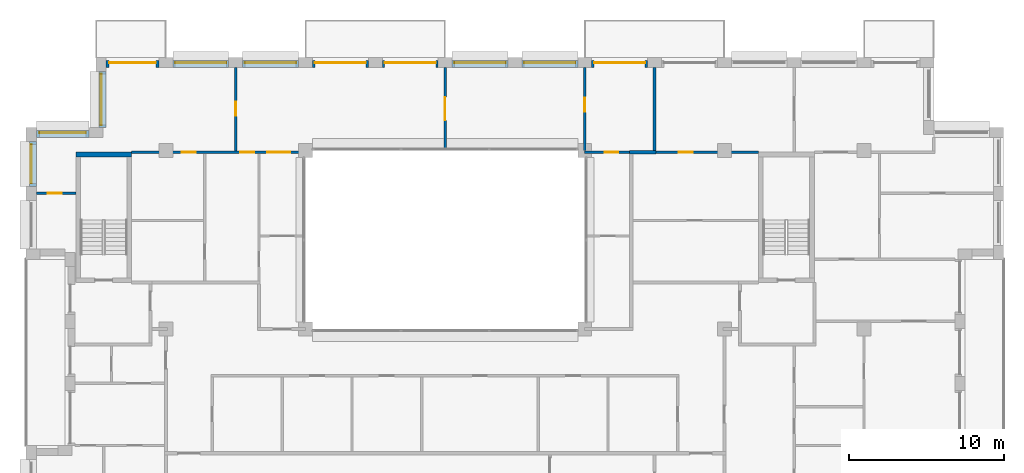
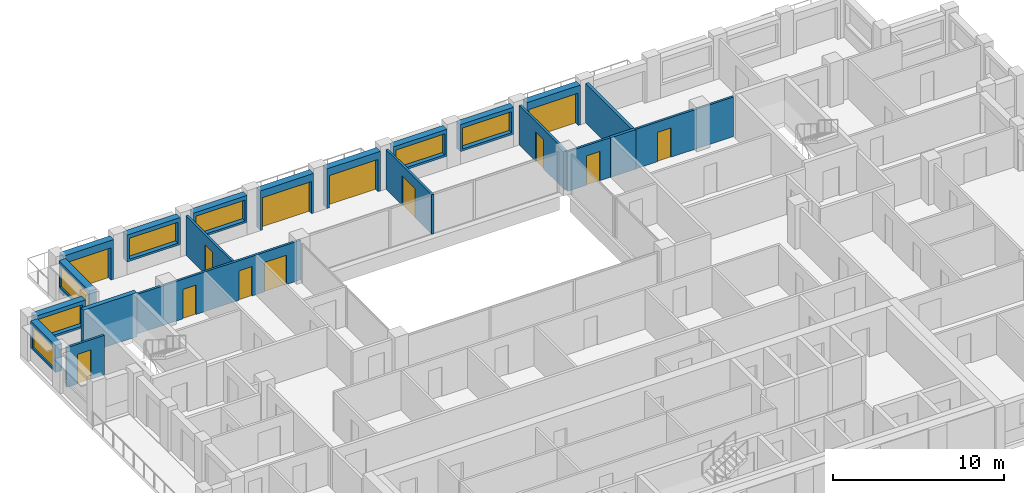
# One storey, part 13 of 15: 21 walls, 13 doors, 7 windows, 20 openings.
"""IFC4 building model written with IfcOpenShell, lengths in metres."""

from ifc_helpers import new_model, si_unit, direction, frame, frame_2d, origin, place, context, subcontext, project, spatial, rectangle, extrude, material, layer, layer_set, type_object, element, fill, save


model = new_model("IFC4")

# Units and contexts
model_context = context("Model", 3, precision=1e-05, world=origin(), true_north=direction((0.0, 1.0)))
body_context = subcontext(model_context, "Body", "Model", "MODEL_VIEW")
ifc_project = project(units=[si_unit("LENGTHUNIT", "METRE"), si_unit("AREAUNIT", "SQUARE_METRE"), si_unit("VOLUMEUNIT", "CUBIC_METRE"), si_unit("PLANEANGLEUNIT", "RADIAN"), si_unit("MASSUNIT", "GRAM", prefix="KILO")], contexts=[model_context])

# Site, building, storey
site_placement = place(None, origin())
site = spatial("IfcSite", under=ifc_project, at=site_placement, CompositionType="ELEMENT")
building_placement = place(site_placement, origin())
building = spatial("IfcBuilding", under=site, at=building_placement, Name="Brigalow Station Residences", CompositionType="ELEMENT")
storey_placement = place(building_placement, frame((0.0, 0.0, 229.5)))
storey = spatial("IfcBuildingStorey", under=building, at=storey_placement, Name="L66", CompositionType="ELEMENT", Elevation=229.5)

# Wall, opening, door
ifc_material_1 = material(Name="Clay brick masonry", Category="masonry")
ifc_layer_1 = layer(ifc_material_1, 0.449951171875)
ifc_layer_set_1 = layer_set([ifc_layer_1], Name="BRICK INFILL WALL 450")
wall_type_1 = type_object("IfcWallType", Name="BRICK INFILL WALL 450", PredefinedType="SOLIDWALL", material=ifc_layer_set_1)
wall_1_placement = place(storey_placement, frame((49.050048828125, 41.074951171875, 0.0), z_axis=(0.0, 0.0, 1.0), x_axis=(-1.0, 0.0, 0.0)))
wall_1 = element("IfcWall", 1, at=wall_1_placement, inside=storey, type_object=wall_type_1, Name="L66/ewall/W-L66-24", PredefinedType="SOLIDWALL", context=body_context, shape_type="SweptSolid", body=[
    extrude(rectangle(XDim=3.60009765625, YDim=0.449951171875, at=frame_2d((1.800048828125, 0.0))), origin(), (0.0, 0.0, 1.0), 2.830078125),
])
opening_1_placement = place(wall_1_placement, frame((0.14990234375, 0.0, 0.0)))
opening_1 = element("IfcOpeningElement", 2, at=opening_1_placement, cuts=wall_1, Name="Opening D-B3300", PredefinedType="OPENING", context=body_context, shape_type="SweptSolid", body=[
    extrude(rectangle(XDim=3.300048828125, YDim=2.300048828125, at=frame_2d((1.64990234375, 1.14990234375))), frame((0.0, 0.23486328125, 0.0), z_axis=(0.0, -1.0, 0.0), x_axis=(1.0, 0.0, 0.0)), (0.0, 0.0, 1.0), 0.469970703125),
])
ifc_material_2 = material(Name="Anodised aluminium frame with double glazing", Category="aluminium")
door_type_1 = type_object("IfcDoorType", Name="BALCONY SLIDING DOOR 3300x2300", OperationType="SLIDING_TO_LEFT", PredefinedType="DOOR", material=ifc_material_2)
door_1_placement = place(opening_1_placement, origin())
door_1 = element("IfcDoor", 3, at=door_1_placement, inside=storey, type_object=door_type_1, Name="L66/balcony-door/W-L66-24", OperationType="SLIDING_TO_LEFT", OverallHeight=2.300048828125, OverallWidth=3.300048828125, PredefinedType="DOOR", context=body_context, shape_type="SweptSolid", body=[
    extrude(rectangle(XDim=3.300048828125, YDim=2.300048828125, at=frame_2d((1.64990234375, 1.14990234375))), frame((0.0, -0.06982421875, 0.0), z_axis=(0.0, -1.0, 0.0), x_axis=(1.0, 0.0, 0.0)), (0.0, 0.0, 1.0), 0.050048828125),
])
fill(opening_1, door_1)

# Wall, opening, window
wall_2_placement = place(storey_placement, frame((44.550048828125, 41.074951171875, 0.89990234375), z_axis=(0.0, 0.0, 1.0), x_axis=(-1.0, 0.0, 0.0)))
wall_2 = element("IfcWall", 4, at=wall_2_placement, inside=storey, type_object=wall_type_1, Name="L66/ewall/W-L66-25", PredefinedType="SOLIDWALL", context=body_context, shape_type="SweptSolid", body=[
    extrude(rectangle(XDim=3.60009765625, YDim=0.449951171875, at=frame_2d((1.800048828125, 0.0))), origin(), (0.0, 0.0, 1.0), 1.93017578125),
])
opening_2_placement = place(wall_2_placement, frame((0.14990234375, 0.0, 0.14990234375)))
opening_2 = element("IfcOpeningElement", 5, at=opening_2_placement, cuts=wall_2, Name="Opening WT-10", PredefinedType="OPENING", context=body_context, shape_type="SweptSolid", body=[
    extrude(rectangle(XDim=3.300048828125, YDim=1.5, at=frame_2d((1.64990234375, 0.75))), frame((0.0, 0.23486328125, 0.0), z_axis=(0.0, -1.0, 0.0), x_axis=(1.0, 0.0, 0.0)), (0.0, 0.0, 1.0), 0.469970703125),
])
ifc_material_3 = material(Name="Anodised aluminium frame with double glazing", Category="aluminium")
window_type_1 = type_object("IfcWindowType", Name="WINDOW 3300x1500", PartitioningType="SINGLE_PANEL", PredefinedType="WINDOW", material=ifc_material_3)
window_1_placement = place(opening_2_placement, origin())
window_1 = element("IfcWindow", 6, at=window_1_placement, inside=storey, type_object=window_type_1, Name="L66/window/W-L66-25", OverallHeight=1.5, OverallWidth=3.300048828125, PartitioningType="SINGLE_PANEL", PredefinedType="WINDOW", context=body_context, shape_type="SweptSolid", body=[
    extrude(rectangle(XDim=3.300048828125, YDim=1.5, at=frame_2d((1.64990234375, 0.75))), frame((0.0, -0.06494140625, 0.0), z_axis=(0.0, -1.0, 0.0), x_axis=(1.0, 0.0, 0.0)), (0.0, 0.0, 1.0), 0.06005859375),
])
fill(opening_2, window_1)

wall_3_placement = place(storey_placement, frame((40.050048828125, 41.074951171875, 0.89990234375), z_axis=(0.0, 0.0, 1.0), x_axis=(-1.0, 0.0, 0.0)))
wall_3 = element("IfcWall", 7, at=wall_3_placement, inside=storey, type_object=wall_type_1, Name="L66/ewall/W-L66-26", PredefinedType="SOLIDWALL", context=body_context, shape_type="SweptSolid", body=[
    extrude(rectangle(XDim=3.60009765625, YDim=0.449951171875, at=frame_2d((1.800048828125, 0.0))), origin(), (0.0, 0.0, 1.0), 1.93017578125),
])
opening_3_placement = place(wall_3_placement, frame((0.14990234375, 0.0, 0.14990234375)))
opening_3 = element("IfcOpeningElement", 8, at=opening_3_placement, cuts=wall_3, Name="Opening WT-10", PredefinedType="OPENING", context=body_context, shape_type="SweptSolid", body=[
    extrude(rectangle(XDim=3.300048828125, YDim=1.5, at=frame_2d((1.64990234375, 0.75))), frame((0.0, 0.23486328125, 0.0), z_axis=(0.0, -1.0, 0.0), x_axis=(1.0, 0.0, 0.0)), (0.0, 0.0, 1.0), 0.469970703125),
])
window_2_placement = place(opening_3_placement, origin())
window_2 = element("IfcWindow", 9, at=window_2_placement, inside=storey, type_object=window_type_1, Name="L66/window/W-L66-26", OverallHeight=1.5, OverallWidth=3.300048828125, PartitioningType="SINGLE_PANEL", PredefinedType="WINDOW", context=body_context, shape_type="SweptSolid", body=[
    extrude(rectangle(XDim=3.300048828125, YDim=1.5, at=frame_2d((1.64990234375, 0.75))), frame((0.0, -0.06494140625, 0.0), z_axis=(0.0, -1.0, 0.0), x_axis=(1.0, 0.0, 0.0)), (0.0, 0.0, 1.0), 0.06005859375),
])
fill(opening_3, window_2)

# Wall, opening, door
wall_4_placement = place(storey_placement, frame((35.550048828125, 41.074951171875, 0.0), z_axis=(0.0, 0.0, 1.0), x_axis=(-1.0, 0.0, 0.0)))
wall_4 = element("IfcWall", 10, at=wall_4_placement, inside=storey, type_object=wall_type_1, Name="L66/ewall/W-L66-27", PredefinedType="SOLIDWALL", context=body_context, shape_type="SweptSolid", body=[
    extrude(rectangle(XDim=3.60009765625, YDim=0.449951171875, at=frame_2d((1.800048828125, 0.0))), origin(), (0.0, 0.0, 1.0), 2.830078125),
])
opening_4_placement = place(wall_4_placement, frame((0.14990234375, 0.0, 0.0)))
opening_4 = element("IfcOpeningElement", 11, at=opening_4_placement, cuts=wall_4, Name="Opening D-B3300", PredefinedType="OPENING", context=body_context, shape_type="SweptSolid", body=[
    extrude(rectangle(XDim=3.300048828125, YDim=2.300048828125, at=frame_2d((1.64990234375, 1.14990234375))), frame((0.0, 0.23486328125, 0.0), z_axis=(0.0, -1.0, 0.0), x_axis=(1.0, 0.0, 0.0)), (0.0, 0.0, 1.0), 0.469970703125),
])
door_2_placement = place(opening_4_placement, origin())
door_2 = element("IfcDoor", 12, at=door_2_placement, inside=storey, type_object=door_type_1, Name="L66/balcony-door/W-L66-27", OperationType="SLIDING_TO_LEFT", OverallHeight=2.300048828125, OverallWidth=3.300048828125, PredefinedType="DOOR", context=body_context, shape_type="SweptSolid", body=[
    extrude(rectangle(XDim=3.300048828125, YDim=2.300048828125, at=frame_2d((1.64990234375, 1.14990234375))), frame((0.0, -0.06982421875, 0.0), z_axis=(0.0, -1.0, 0.0), x_axis=(1.0, 0.0, 0.0)), (0.0, 0.0, 1.0), 0.050048828125),
])
fill(opening_4, door_2)

wall_5_placement = place(storey_placement, frame((31.050048828125, 41.074951171875, 0.0), z_axis=(0.0, 0.0, 1.0), x_axis=(-1.0, 0.0, 0.0)))
wall_5 = element("IfcWall", 13, at=wall_5_placement, inside=storey, type_object=wall_type_1, Name="L66/ewall/W-L66-28", PredefinedType="SOLIDWALL", context=body_context, shape_type="SweptSolid", body=[
    extrude(rectangle(XDim=3.60009765625, YDim=0.449951171875, at=frame_2d((1.800048828125, 0.0))), origin(), (0.0, 0.0, 1.0), 2.830078125),
])
opening_5_placement = place(wall_5_placement, frame((0.14990234375, 0.0, 0.0)))
opening_5 = element("IfcOpeningElement", 14, at=opening_5_placement, cuts=wall_5, Name="Opening D-B3300", PredefinedType="OPENING", context=body_context, shape_type="SweptSolid", body=[
    extrude(rectangle(XDim=3.300048828125, YDim=2.300048828125, at=frame_2d((1.64990234375, 1.14990234375))), frame((0.0, 0.23486328125, 0.0), z_axis=(0.0, -1.0, 0.0), x_axis=(1.0, 0.0, 0.0)), (0.0, 0.0, 1.0), 0.469970703125),
])
door_3_placement = place(opening_5_placement, origin())
door_3 = element("IfcDoor", 15, at=door_3_placement, inside=storey, type_object=door_type_1, Name="L66/balcony-door/W-L66-28", OperationType="SLIDING_TO_LEFT", OverallHeight=2.300048828125, OverallWidth=3.300048828125, PredefinedType="DOOR", context=body_context, shape_type="SweptSolid", body=[
    extrude(rectangle(XDim=3.300048828125, YDim=2.300048828125, at=frame_2d((1.64990234375, 1.14990234375))), frame((0.0, -0.06982421875, 0.0), z_axis=(0.0, -1.0, 0.0), x_axis=(1.0, 0.0, 0.0)), (0.0, 0.0, 1.0), 0.050048828125),
])
fill(opening_5, door_3)

# Wall, opening, window
wall_6_placement = place(storey_placement, frame((26.550048828125, 41.074951171875, 0.89990234375), z_axis=(0.0, 0.0, 1.0), x_axis=(-1.0, 0.0, 0.0)))
wall_6 = element("IfcWall", 16, at=wall_6_placement, inside=storey, type_object=wall_type_1, Name="L66/ewall/W-L66-29", PredefinedType="SOLIDWALL", context=body_context, shape_type="SweptSolid", body=[
    extrude(rectangle(XDim=3.60009765625, YDim=0.449951171875, at=frame_2d((1.800048828125, 0.0))), origin(), (0.0, 0.0, 1.0), 1.93017578125),
])
opening_6_placement = place(wall_6_placement, frame((0.14990234375, 0.0, 0.14990234375)))
opening_6 = element("IfcOpeningElement", 17, at=opening_6_placement, cuts=wall_6, Name="Opening WT-10", PredefinedType="OPENING", context=body_context, shape_type="SweptSolid", body=[
    extrude(rectangle(XDim=3.300048828125, YDim=1.5, at=frame_2d((1.64990234375, 0.75))), frame((0.0, 0.23486328125, 0.0), z_axis=(0.0, -1.0, 0.0), x_axis=(1.0, 0.0, 0.0)), (0.0, 0.0, 1.0), 0.469970703125),
])
window_3_placement = place(opening_6_placement, origin())
window_3 = element("IfcWindow", 18, at=window_3_placement, inside=storey, type_object=window_type_1, Name="L66/window/W-L66-29", OverallHeight=1.5, OverallWidth=3.300048828125, PartitioningType="SINGLE_PANEL", PredefinedType="WINDOW", context=body_context, shape_type="SweptSolid", body=[
    extrude(rectangle(XDim=3.300048828125, YDim=1.5, at=frame_2d((1.64990234375, 0.75))), frame((0.0, -0.06494140625, 0.0), z_axis=(0.0, -1.0, 0.0), x_axis=(1.0, 0.0, 0.0)), (0.0, 0.0, 1.0), 0.06005859375),
])
fill(opening_6, window_3)

wall_7_placement = place(storey_placement, frame((22.050048828125, 41.074951171875, 0.89990234375), z_axis=(0.0, 0.0, 1.0), x_axis=(-1.0, 0.0, 0.0)))
wall_7 = element("IfcWall", 19, at=wall_7_placement, inside=storey, type_object=wall_type_1, Name="L66/ewall/W-L66-30", PredefinedType="SOLIDWALL", context=body_context, shape_type="SweptSolid", body=[
    extrude(rectangle(XDim=3.60009765625, YDim=0.449951171875, at=frame_2d((1.800048828125, 0.0))), origin(), (0.0, 0.0, 1.0), 1.93017578125),
])
opening_7_placement = place(wall_7_placement, frame((0.14990234375, 0.0, 0.14990234375)))
opening_7 = element("IfcOpeningElement", 20, at=opening_7_placement, cuts=wall_7, Name="Opening WT-10", PredefinedType="OPENING", context=body_context, shape_type="SweptSolid", body=[
    extrude(rectangle(XDim=3.300048828125, YDim=1.5, at=frame_2d((1.64990234375, 0.75))), frame((0.0, 0.23486328125, 0.0), z_axis=(0.0, -1.0, 0.0), x_axis=(1.0, 0.0, 0.0)), (0.0, 0.0, 1.0), 0.469970703125),
])
window_4_placement = place(opening_7_placement, origin())
window_4 = element("IfcWindow", 21, at=window_4_placement, inside=storey, type_object=window_type_1, Name="L66/window/W-L66-30", OverallHeight=1.5, OverallWidth=3.300048828125, PartitioningType="SINGLE_PANEL", PredefinedType="WINDOW", context=body_context, shape_type="SweptSolid", body=[
    extrude(rectangle(XDim=3.300048828125, YDim=1.5, at=frame_2d((1.64990234375, 0.75))), frame((0.0, -0.06494140625, 0.0), z_axis=(0.0, -1.0, 0.0), x_axis=(1.0, 0.0, 0.0)), (0.0, 0.0, 1.0), 0.06005859375),
])
fill(opening_7, window_4)

# Wall, opening, door
wall_8_placement = place(storey_placement, frame((17.550048828125, 41.074951171875, 0.0), z_axis=(0.0, 0.0, 1.0), x_axis=(-1.0, 0.0, 0.0)))
wall_8 = element("IfcWall", 22, at=wall_8_placement, inside=storey, type_object=wall_type_1, Name="L66/ewall/W-L66-31", PredefinedType="SOLIDWALL", context=body_context, shape_type="SweptSolid", body=[
    extrude(rectangle(XDim=3.400146484375, YDim=0.449951171875, at=frame_2d((1.7001953125, 0.0))), origin(), (0.0, 0.0, 1.0), 2.830078125),
])
opening_8_placement = place(wall_8_placement, frame((0.199951171875, 0.0, 0.0)))
opening_8 = element("IfcOpeningElement", 23, at=opening_8_placement, cuts=wall_8, Name="Opening D-B3000", PredefinedType="OPENING", context=body_context, shape_type="SweptSolid", body=[
    extrude(rectangle(XDim=3.0, YDim=2.300048828125, at=frame_2d((1.5, 1.14990234375))), frame((0.0, 0.23486328125, 0.0), z_axis=(0.0, -1.0, 0.0), x_axis=(1.0, 0.0, 0.0)), (0.0, 0.0, 1.0), 0.469970703125),
])
ifc_material_4 = material(Name="Anodised aluminium frame with double glazing", Category="aluminium")
door_type_2 = type_object("IfcDoorType", Name="BALCONY SLIDING DOOR 3000x2300", OperationType="SLIDING_TO_LEFT", PredefinedType="DOOR", material=ifc_material_4)
door_4_placement = place(opening_8_placement, origin())
door_4 = element("IfcDoor", 24, at=door_4_placement, inside=storey, type_object=door_type_2, Name="L66/balcony-door/W-L66-31", OperationType="SLIDING_TO_LEFT", OverallHeight=2.300048828125, OverallWidth=3.0, PredefinedType="DOOR", context=body_context, shape_type="SweptSolid", body=[
    extrude(rectangle(XDim=3.0, YDim=2.300048828125, at=frame_2d((1.5, 1.14990234375))), frame((0.0, -0.06982421875, 0.0), z_axis=(0.0, -1.0, 0.0), x_axis=(1.0, 0.0, 0.0)), (0.0, 0.0, 1.0), 0.050048828125),
])
fill(opening_8, door_4)

# Wall, opening, window
wall_9_placement = place(storey_placement, frame((13.925048828125, 40.60009765625, 0.89990234375), z_axis=(0.0, 0.0, 1.0), x_axis=(0.0, -1.0, 0.0)))
wall_9 = element("IfcWall", 25, at=wall_9_placement, inside=storey, type_object=wall_type_1, Name="L66/ewall/W-L66-32", PredefinedType="SOLIDWALL", context=body_context, shape_type="SweptSolid", body=[
    extrude(rectangle(XDim=3.60009765625, YDim=0.449951171875, at=frame_2d((1.800048828125, 0.0))), origin(), (0.0, 0.0, 1.0), 1.93017578125),
])
opening_9_placement = place(wall_9_placement, frame((0.14990234375, 0.0, 0.14990234375)))
opening_9 = element("IfcOpeningElement", 26, at=opening_9_placement, cuts=wall_9, Name="Opening WT-10", PredefinedType="OPENING", context=body_context, shape_type="SweptSolid", body=[
    extrude(rectangle(XDim=3.300048828125, YDim=1.5, at=frame_2d((1.64990234375, 0.75))), frame((0.0, 0.23486328125, 0.0), z_axis=(0.0, -1.0, 0.0), x_axis=(1.0, 0.0, 0.0)), (0.0, 0.0, 1.0), 0.469970703125),
])
window_5_placement = place(opening_9_placement, origin())
window_5 = element("IfcWindow", 27, at=window_5_placement, inside=storey, type_object=window_type_1, Name="L66/window/W-L66-32", OverallHeight=1.5, OverallWidth=3.300048828125, PartitioningType="SINGLE_PANEL", PredefinedType="WINDOW", context=body_context, shape_type="SweptSolid", body=[
    extrude(rectangle(XDim=3.300048828125, YDim=1.5, at=frame_2d((1.64990234375, 0.75))), frame((0.0, -0.06494140625, 0.0), z_axis=(0.0, -1.0, 0.0), x_axis=(1.0, 0.0, 0.0)), (0.0, 0.0, 1.0), 0.06005859375),
])
fill(opening_9, window_5)

wall_10_placement = place(storey_placement, frame((13.050048828125, 36.574951171875, 0.89990234375), z_axis=(0.0, 0.0, 1.0), x_axis=(-1.0, 0.0, 0.0)))
wall_10 = element("IfcWall", 28, at=wall_10_placement, inside=storey, type_object=wall_type_1, Name="L66/ewall/W-L66-33", PredefinedType="SOLIDWALL", context=body_context, shape_type="SweptSolid", body=[
    extrude(rectangle(XDim=3.400146484375, YDim=0.449951171875, at=frame_2d((1.7001953125, 0.0))), origin(), (0.0, 0.0, 1.0), 1.93017578125),
])
opening_10_placement = place(wall_10_placement, frame((0.199951171875, 0.0, 0.14990234375)))
opening_10 = element("IfcOpeningElement", 29, at=opening_10_placement, cuts=wall_10, Name="Opening WT-2", PredefinedType="OPENING", context=body_context, shape_type="SweptSolid", body=[
    extrude(rectangle(XDim=3.0, YDim=1.5, at=frame_2d((1.5, 0.75))), frame((0.0, 0.23486328125, 0.0), z_axis=(0.0, -1.0, 0.0), x_axis=(1.0, 0.0, 0.0)), (0.0, 0.0, 1.0), 0.469970703125),
])
ifc_material_5 = material(Name="Anodised aluminium frame with double glazing", Category="aluminium")
window_type_2 = type_object("IfcWindowType", Name="WINDOW 3000x1500", PartitioningType="SINGLE_PANEL", PredefinedType="WINDOW", material=ifc_material_5)
window_6_placement = place(opening_10_placement, origin())
window_6 = element("IfcWindow", 30, at=window_6_placement, inside=storey, type_object=window_type_2, Name="L66/window/W-L66-33", OverallHeight=1.5, OverallWidth=3.0, PartitioningType="SINGLE_PANEL", PredefinedType="WINDOW", context=body_context, shape_type="SweptSolid", body=[
    extrude(rectangle(XDim=3.0, YDim=1.5, at=frame_2d((1.5, 0.75))), frame((0.0, -0.06494140625, 0.0), z_axis=(0.0, -1.0, 0.0), x_axis=(1.0, 0.0, 0.0)), (0.0, 0.0, 1.0), 0.06005859375),
])
fill(opening_10, window_6)

wall_11_placement = place(storey_placement, frame((9.425048828125, 36.10009765625, 0.89990234375), z_axis=(0.0, 0.0, 1.0), x_axis=(0.0, -1.0, 0.0)))
wall_11 = element("IfcWall", 31, at=wall_11_placement, inside=storey, type_object=wall_type_1, Name="L66/ewall/W-L66-34", PredefinedType="SOLIDWALL", context=body_context, shape_type="SweptSolid", body=[
    extrude(rectangle(XDim=2.900146484375, YDim=0.449951171875, at=frame_2d((1.4501953125, 0.0))), origin(), (0.0, 0.0, 1.0), 1.93017578125),
])
opening_11_placement = place(wall_11_placement, frame((0.199951171875, 0.0, 0.14990234375)))
opening_11 = element("IfcOpeningElement", 32, at=opening_11_placement, cuts=wall_11, Name="Opening WT-5", PredefinedType="OPENING", context=body_context, shape_type="SweptSolid", body=[
    extrude(rectangle(XDim=2.5, YDim=1.5, at=frame_2d((1.25, 0.75))), frame((0.0, 0.23486328125, 0.0), z_axis=(0.0, -1.0, 0.0), x_axis=(1.0, 0.0, 0.0)), (0.0, 0.0, 1.0), 0.469970703125),
])
ifc_material_6 = material(Name="Anodised aluminium frame with double glazing", Category="aluminium")
window_type_3 = type_object("IfcWindowType", Name="WINDOW 2500x1500", PartitioningType="SINGLE_PANEL", PredefinedType="WINDOW", material=ifc_material_6)
window_7_placement = place(opening_11_placement, origin())
window_7 = element("IfcWindow", 33, at=window_7_placement, inside=storey, type_object=window_type_3, Name="L66/window/W-L66-34", OverallHeight=1.5, OverallWidth=2.5, PartitioningType="SINGLE_PANEL", PredefinedType="WINDOW", context=body_context, shape_type="SweptSolid", body=[
    extrude(rectangle(XDim=2.5, YDim=1.5, at=frame_2d((1.25, 0.75))), frame((0.0, -0.06494140625, 0.0), z_axis=(0.0, -1.0, 0.0), x_axis=(1.0, 0.0, 0.0)), (0.0, 0.0, 1.0), 0.06005859375),
])
fill(opening_11, window_7)

# Wall
ifc_material_7 = material(Name="Concrete C50", Category="concrete")
ifc_layer_2 = layer(ifc_material_7, 0.300048828125)
ifc_layer_set_2 = layer_set([ifc_layer_2], Name="CORE SHEAR WALL 300 C50")
wall_type_2 = type_object("IfcWallType", Name="CORE SHEAR WALL 300 C50", PredefinedType="SHEAR", material=ifc_layer_set_2)
wall_12_placement = place(storey_placement, frame((12.199951171875, 35.25, 0.0), z_axis=(0.0, 0.0, 1.0), x_axis=(1.0, 0.0, 0.0)))
element("IfcWall", 34, at=wall_12_placement, inside=storey, type_object=wall_type_2, Name="CORE WALL ST-S1-N L66", PredefinedType="SHEAR", context=body_context, shape_type="SweptSolid", body=[
    extrude(rectangle(XDim=3.60009765625, YDim=0.300048828125, at=frame_2d((1.800048828125, 0.0))), origin(), (0.0, 0.0, 1.0), 3.14990234375),
])

# Wall, openings, doors
ifc_material_8 = material(Name="Plasterboard on steel stud partition", Category="steel")
ifc_layer_3 = layer(ifc_material_8, 0.14990234375)
ifc_layer_set_3 = layer_set([ifc_layer_3], Name="FLAT PARTITION 150")
wall_type_3 = type_object("IfcWallType", Name="FLAT PARTITION 150", PredefinedType="PARTITIONING", material=ifc_layer_set_3)
wall_13_placement = place(storey_placement, frame((15.800048828125, 35.39990234375, 0.0), z_axis=(0.0, 0.0, 1.0), x_axis=(1.0, 0.0, 0.0)))
wall_13 = element("IfcWall", 35, at=wall_13_placement, inside=storey, type_object=wall_type_3, Name="PW-4E19", PredefinedType="PARTITIONING", context=body_context, shape_type="SweptSolid", body=[
    extrude(rectangle(XDim=11.199951171875, YDim=0.14990234375, at=frame_2d((5.60009765625, 0.0))), origin(), (0.0, 0.0, 1.0), 2.830078125),
])
opening_12_placement = place(wall_13_placement, frame((8.72509765625, 0.0, 0.0)))
opening_12 = element("IfcOpeningElement", 36, at=opening_12_placement, cuts=wall_13, Name="Opening D-4E15", PredefinedType="OPENING", context=body_context, shape_type="SweptSolid", body=[
    extrude(rectangle(XDim=1.5, YDim=2.10009765625, at=frame_2d((0.75, 1.050048828125))), frame((0.0, 0.0849609375, 0.0), z_axis=(0.0, -1.0, 0.0), x_axis=(1.0, 0.0, 0.0)), (0.0, 0.0, 1.0), 0.169921875),
])
opening_13_placement = place(wall_13_placement, frame((7.0, 0.0, 0.0)))
opening_13 = element("IfcOpeningElement", 37, at=opening_13_placement, cuts=wall_13, Name="Opening D-4E16", PredefinedType="OPENING", context=body_context, shape_type="SweptSolid", body=[
    extrude(rectangle(XDim=0.89990234375, YDim=2.10009765625, at=frame_2d((0.449951171875, 1.050048828125))), frame((0.0, 0.0849609375, 0.0), z_axis=(0.0, -1.0, 0.0), x_axis=(1.0, 0.0, 0.0)), (0.0, 0.0, 1.0), 0.169921875),
])
opening_14_placement = place(wall_13_placement, frame((3.22509765625, 0.0, 0.0)))
opening_14 = element("IfcOpeningElement", 38, at=opening_14_placement, cuts=wall_13, Name="Opening D-4E19", PredefinedType="OPENING", context=body_context, shape_type="SweptSolid", body=[
    extrude(rectangle(XDim=0.89990234375, YDim=2.10009765625, at=frame_2d((0.449951171875, 1.050048828125))), frame((0.0, 0.0849609375, 0.0), z_axis=(0.0, -1.0, 0.0), x_axis=(1.0, 0.0, 0.0)), (0.0, 0.0, 1.0), 0.169921875),
])
ifc_material_9 = material(Name="Solid-core timber door leaf", Category="wood")
door_type_3 = type_object("IfcDoorType", Name="INTERNAL DOOR 900 x 2100", OperationType="SINGLE_SWING_LEFT", PredefinedType="DOOR", material=ifc_material_9)
door_5_placement = place(opening_13_placement, frame((0.89990234375, 0.0, 0.0), z_axis=(0.0, 0.0, 1.0), x_axis=(-1.0, 0.0, 0.0)))
door_5 = element("IfcDoor", 39, at=door_5_placement, inside=storey, type_object=door_type_3, Name="D-4E16", OperationType="SINGLE_SWING_LEFT", OverallHeight=2.10009765625, OverallWidth=0.89990234375, PredefinedType="DOOR", context=body_context, shape_type="SweptSolid", body=[
    extrude(rectangle(XDim=0.89990234375, YDim=2.10009765625, at=frame_2d((0.449951171875, 1.050048828125))), frame((0.0, 0.02490234375, 0.0), z_axis=(0.0, -1.0, 0.0), x_axis=(1.0, 0.0, 0.0)), (0.0, 0.0, 1.0), 0.050048828125),
])
fill(opening_13, door_5)
door_6_placement = place(opening_14_placement, frame((0.89990234375, 0.0, 0.0), z_axis=(0.0, 0.0, 1.0), x_axis=(-1.0, 0.0, 0.0)))
door_6 = element("IfcDoor", 40, at=door_6_placement, inside=storey, type_object=door_type_3, Name="D-4E19", OperationType="SINGLE_SWING_LEFT", OverallHeight=2.10009765625, OverallWidth=0.89990234375, PredefinedType="DOOR", context=body_context, shape_type="SweptSolid", body=[
    extrude(rectangle(XDim=0.89990234375, YDim=2.10009765625, at=frame_2d((0.449951171875, 1.050048828125))), frame((0.0, 0.02490234375, 0.0), z_axis=(0.0, -1.0, 0.0), x_axis=(1.0, 0.0, 0.0)), (0.0, 0.0, 1.0), 0.050048828125),
])
fill(opening_14, door_6)
ifc_material_10 = material(Name="Solid-core timber door leaf", Category="wood")
door_type_4 = type_object("IfcDoorType", Name="INTERNAL DOUBLE DOOR 1500 x 2100", OperationType="DOUBLE_DOOR_SINGLE_SWING", PredefinedType="DOOR", material=ifc_material_10)
door_7_placement = place(opening_12_placement, origin())
door_7 = element("IfcDoor", 41, at=door_7_placement, inside=storey, type_object=door_type_4, Name="D-4E15", OperationType="DOUBLE_DOOR_SINGLE_SWING", OverallHeight=2.10009765625, OverallWidth=1.5, PredefinedType="DOOR", context=body_context, shape_type="SweptSolid", body=[
    extrude(rectangle(XDim=1.5, YDim=2.10009765625, at=frame_2d((0.75, 1.050048828125))), frame((0.0, 0.02490234375, 0.0), z_axis=(0.0, -1.0, 0.0), x_axis=(1.0, 0.0, 0.0)), (0.0, 0.0, 1.0), 0.050048828125),
])
fill(opening_12, door_7)

# Wall, opening, door
wall_14_placement = place(storey_placement, frame((45.0, 35.39990234375, 0.0), z_axis=(0.0, 0.0, 1.0), x_axis=(1.0, 0.0, 0.0)))
wall_14 = element("IfcWall", 42, at=wall_14_placement, inside=storey, type_object=wall_type_3, Name="PW-4E20", PredefinedType="PARTITIONING", context=body_context, shape_type="SweptSolid", body=[
    extrude(rectangle(XDim=3.10009765625, YDim=0.14990234375, at=frame_2d((1.550048828125, 0.0))), origin(), (0.0, 0.0, 1.0), 2.830078125),
])
opening_15_placement = place(wall_14_placement, frame((1.27490234375, 0.0, 0.0)))
opening_15 = element("IfcOpeningElement", 43, at=opening_15_placement, cuts=wall_14, Name="Opening D-4E22", PredefinedType="OPENING", context=body_context, shape_type="SweptSolid", body=[
    extrude(rectangle(XDim=0.89990234375, YDim=2.10009765625, at=frame_2d((0.449951171875, 1.050048828125))), frame((0.0, 0.0849609375, 0.0), z_axis=(0.0, -1.0, 0.0), x_axis=(1.0, 0.0, 0.0)), (0.0, 0.0, 1.0), 0.169921875),
])
door_8_placement = place(opening_15_placement, frame((0.89990234375, 0.0, 0.0), z_axis=(0.0, 0.0, 1.0), x_axis=(-1.0, 0.0, 0.0)))
door_8 = element("IfcDoor", 44, at=door_8_placement, inside=storey, type_object=door_type_3, Name="D-4E22", OperationType="SINGLE_SWING_LEFT", OverallHeight=2.10009765625, OverallWidth=0.89990234375, PredefinedType="DOOR", context=body_context, shape_type="SweptSolid", body=[
    extrude(rectangle(XDim=0.89990234375, YDim=2.10009765625, at=frame_2d((0.449951171875, 1.050048828125))), frame((0.0, 0.02490234375, 0.0), z_axis=(0.0, -1.0, 0.0), x_axis=(1.0, 0.0, 0.0)), (0.0, 0.0, 1.0), 0.050048828125),
])
fill(opening_15, door_8)

wall_15_placement = place(storey_placement, frame((49.39990234375, 35.39990234375, 0.0), z_axis=(0.0, 0.0, 1.0), x_axis=(1.0, 0.0, 0.0)))
wall_15 = element("IfcWall", 45, at=wall_15_placement, inside=storey, type_object=wall_type_3, Name="PW-4E21", PredefinedType="PARTITIONING", context=body_context, shape_type="SweptSolid", body=[
    extrude(rectangle(XDim=6.800048828125, YDim=0.14990234375, at=frame_2d((3.39990234375, 0.0))), origin(), (0.0, 0.0, 1.0), 2.830078125),
])
opening_16_placement = place(wall_15_placement, frame((1.675048828125, 0.0, 0.0)))
opening_16 = element("IfcOpeningElement", 46, at=opening_16_placement, cuts=wall_15, Name="Opening D-4E42", PredefinedType="OPENING", context=body_context, shape_type="SweptSolid", body=[
    extrude(rectangle(XDim=0.89990234375, YDim=2.10009765625, at=frame_2d((0.449951171875, 1.050048828125))), frame((0.0, 0.0849609375, 0.0), z_axis=(0.0, -1.0, 0.0), x_axis=(1.0, 0.0, 0.0)), (0.0, 0.0, 1.0), 0.169921875),
])
door_9_placement = place(opening_16_placement, frame((0.89990234375, 0.0, 0.0), z_axis=(0.0, 0.0, 1.0), x_axis=(-1.0, 0.0, 0.0)))
door_9 = element("IfcDoor", 47, at=door_9_placement, inside=storey, type_object=door_type_3, Name="D-4E42", OperationType="SINGLE_SWING_RIGHT", OverallHeight=2.10009765625, OverallWidth=0.89990234375, PredefinedType="DOOR", context=body_context, shape_type="SweptSolid", body=[
    extrude(rectangle(XDim=0.89990234375, YDim=2.10009765625, at=frame_2d((0.449951171875, 1.050048828125))), frame((0.0, 0.02490234375, 0.0), z_axis=(0.0, -1.0, 0.0), x_axis=(1.0, 0.0, 0.0)), (0.0, 0.0, 1.0), 0.050048828125),
])
fill(opening_16, door_9)

wall_16_placement = place(storey_placement, frame((9.64990234375, 32.75, 0.0), z_axis=(0.0, 0.0, 1.0), x_axis=(1.0, 0.0, 0.0)))
wall_16 = element("IfcWall", 48, at=wall_16_placement, inside=storey, type_object=wall_type_3, Name="PW-4E26", PredefinedType="PARTITIONING", context=body_context, shape_type="SweptSolid", body=[
    extrude(rectangle(XDim=2.550048828125, YDim=0.14990234375, at=frame_2d((1.27490234375, 0.0))), origin(), (0.0, 0.0, 1.0), 2.830078125),
])
opening_17_placement = place(wall_16_placement, frame((0.75, 0.0, 0.0)))
opening_17 = element("IfcOpeningElement", 49, at=opening_17_placement, cuts=wall_16, Name="Opening D-4E18", PredefinedType="OPENING", context=body_context, shape_type="SweptSolid", body=[
    extrude(rectangle(XDim=0.89990234375, YDim=2.10009765625, at=frame_2d((0.449951171875, 1.050048828125))), frame((0.0, 0.0849609375, 0.0), z_axis=(0.0, -1.0, 0.0), x_axis=(1.0, 0.0, 0.0)), (0.0, 0.0, 1.0), 0.169921875),
])
door_10_placement = place(opening_17_placement, frame((0.89990234375, 0.0, 0.0), z_axis=(0.0, 0.0, 1.0), x_axis=(-1.0, 0.0, 0.0)))
door_10 = element("IfcDoor", 50, at=door_10_placement, inside=storey, type_object=door_type_3, Name="D-4E18", OperationType="SINGLE_SWING_RIGHT", OverallHeight=2.10009765625, OverallWidth=0.89990234375, PredefinedType="DOOR", context=body_context, shape_type="SweptSolid", body=[
    extrude(rectangle(XDim=0.89990234375, YDim=2.10009765625, at=frame_2d((0.449951171875, 1.050048828125))), frame((0.0, 0.02490234375, 0.0), z_axis=(0.0, -1.0, 0.0), x_axis=(1.0, 0.0, 0.0)), (0.0, 0.0, 1.0), 0.050048828125),
])
fill(opening_17, door_10)

wall_17_placement = place(storey_placement, frame((22.5, 35.47509765625, 0.0), z_axis=(0.0, 0.0, 1.0), x_axis=(0.0, 1.0, 0.0)))
wall_17 = element("IfcWall", 51, at=wall_17_placement, inside=storey, type_object=wall_type_3, Name="PW-4E42", PredefinedType="PARTITIONING", context=body_context, shape_type="SweptSolid", body=[
    extrude(rectangle(XDim=5.375, YDim=0.14990234375, at=frame_2d((2.6875, 0.0))), origin(), (0.0, 0.0, 1.0), 2.830078125),
])
opening_18_placement = place(wall_17_placement, frame((2.27490234375, 0.0, 0.0)))
opening_18 = element("IfcOpeningElement", 52, at=opening_18_placement, cuts=wall_17, Name="Opening D-4E17", PredefinedType="OPENING", context=body_context, shape_type="SweptSolid", body=[
    extrude(rectangle(XDim=0.89990234375, YDim=2.10009765625, at=frame_2d((0.449951171875, 1.050048828125))), frame((0.0, 0.0849609375, 0.0), z_axis=(0.0, -1.0, 0.0), x_axis=(1.0, 0.0, 0.0)), (0.0, 0.0, 1.0), 0.169921875),
])
door_11_placement = place(opening_18_placement, origin())
door_11 = element("IfcDoor", 53, at=door_11_placement, inside=storey, type_object=door_type_3, Name="D-4E17", OperationType="SINGLE_SWING_RIGHT", OverallHeight=2.10009765625, OverallWidth=0.89990234375, PredefinedType="DOOR", context=body_context, shape_type="SweptSolid", body=[
    extrude(rectangle(XDim=0.89990234375, YDim=2.10009765625, at=frame_2d((0.449951171875, 1.050048828125))), frame((0.0, 0.02490234375, 0.0), z_axis=(0.0, -1.0, 0.0), x_axis=(1.0, 0.0, 0.0)), (0.0, 0.0, 1.0), 0.050048828125),
])
fill(opening_18, door_11)

wall_18_placement = place(storey_placement, frame((36.0, 35.5, 0.0), z_axis=(0.0, 0.0, 1.0), x_axis=(0.0, 1.0, 0.0)))
wall_18 = element("IfcWall", 54, at=wall_18_placement, inside=storey, type_object=wall_type_3, Name="PW-4E43", PredefinedType="PARTITIONING", context=body_context, shape_type="SweptSolid", body=[
    extrude(rectangle(XDim=5.35009765625, YDim=0.14990234375, at=frame_2d((2.675048828125, 0.0))), origin(), (0.0, 0.0, 1.0), 2.830078125),
])
opening_19_placement = place(wall_18_placement, frame((1.949951171875, 0.0, 0.0)))
opening_19 = element("IfcOpeningElement", 55, at=opening_19_placement, cuts=wall_18, Name="Opening D-4E20", PredefinedType="OPENING", context=body_context, shape_type="SweptSolid", body=[
    extrude(rectangle(XDim=1.5, YDim=2.10009765625, at=frame_2d((0.75, 1.050048828125))), frame((0.0, 0.0849609375, 0.0), z_axis=(0.0, -1.0, 0.0), x_axis=(1.0, 0.0, 0.0)), (0.0, 0.0, 1.0), 0.169921875),
])
door_12_placement = place(opening_19_placement, frame((1.5, 0.0, 0.0), z_axis=(0.0, 0.0, 1.0), x_axis=(-1.0, 0.0, 0.0)))
door_12 = element("IfcDoor", 56, at=door_12_placement, inside=storey, type_object=door_type_4, Name="D-4E20", OperationType="DOUBLE_DOOR_SINGLE_SWING", OverallHeight=2.10009765625, OverallWidth=1.5, PredefinedType="DOOR", context=body_context, shape_type="SweptSolid", body=[
    extrude(rectangle(XDim=1.5, YDim=2.10009765625, at=frame_2d((0.75, 1.050048828125))), frame((0.0, 0.02490234375, 0.0), z_axis=(0.0, -1.0, 0.0), x_axis=(1.0, 0.0, 0.0)), (0.0, 0.0, 1.0), 0.050048828125),
])
fill(opening_19, door_12)

wall_19_placement = place(storey_placement, frame((45.0, 35.5, 0.0), z_axis=(0.0, 0.0, 1.0), x_axis=(0.0, 1.0, 0.0)))
wall_19 = element("IfcWall", 57, at=wall_19_placement, inside=storey, type_object=wall_type_3, Name="PW-4E44", PredefinedType="PARTITIONING", context=body_context, shape_type="SweptSolid", body=[
    extrude(rectangle(XDim=5.35009765625, YDim=0.14990234375, at=frame_2d((2.675048828125, 0.0))), origin(), (0.0, 0.0, 1.0), 2.830078125),
])
opening_20_placement = place(wall_19_placement, frame((2.52490234375, 0.0, 0.0)))
opening_20 = element("IfcOpeningElement", 58, at=opening_20_placement, cuts=wall_19, Name="Opening D-4E21", PredefinedType="OPENING", context=body_context, shape_type="SweptSolid", body=[
    extrude(rectangle(XDim=0.89990234375, YDim=2.10009765625, at=frame_2d((0.449951171875, 1.050048828125))), frame((0.0, 0.0849609375, 0.0), z_axis=(0.0, -1.0, 0.0), x_axis=(1.0, 0.0, 0.0)), (0.0, 0.0, 1.0), 0.169921875),
])
door_13_placement = place(opening_20_placement, frame((0.89990234375, 0.0, 0.0), z_axis=(0.0, 0.0, 1.0), x_axis=(-1.0, 0.0, 0.0)))
door_13 = element("IfcDoor", 59, at=door_13_placement, inside=storey, type_object=door_type_3, Name="D-4E21", OperationType="SINGLE_SWING_LEFT", OverallHeight=2.10009765625, OverallWidth=0.89990234375, PredefinedType="DOOR", context=body_context, shape_type="SweptSolid", body=[
    extrude(rectangle(XDim=0.89990234375, YDim=2.10009765625, at=frame_2d((0.449951171875, 1.050048828125))), frame((0.0, 0.02490234375, 0.0), z_axis=(0.0, -1.0, 0.0), x_axis=(1.0, 0.0, 0.0)), (0.0, 0.0, 1.0), 0.050048828125),
])
fill(opening_20, door_13)

# Walls
ifc_material_11 = material(Name="Plasterboard on steel stud partition", Category="steel")
ifc_layer_4 = layer(ifc_material_11, 0.199951171875)
ifc_layer_set_4 = layer_set([ifc_layer_4], Name="PARTY AND CORRIDOR WALL 200")
wall_type_4 = type_object("IfcWallType", Name="PARTY AND CORRIDOR WALL 200", PredefinedType="PARTITIONING", material=ifc_layer_set_4)
wall_20_placement = place(storey_placement, frame((47.89990234375, 35.39990234375, 0.0), z_axis=(0.0, 0.0, 1.0), x_axis=(1.0, 0.0, 0.0)))
element("IfcWall", 60, at=wall_20_placement, inside=storey, type_object=wall_type_4, Name="PW-4E23", PredefinedType="PARTITIONING", context=body_context, shape_type="SweptSolid", body=[
    extrude(rectangle(XDim=1.7001953125, YDim=0.199951171875, at=frame_2d((0.85009765625, 0.0))), origin(), (0.0, 0.0, 1.0), 2.830078125),
])
wall_21_placement = place(storey_placement, frame((49.5, 35.47509765625, 0.0), z_axis=(0.0, 0.0, 1.0), x_axis=(0.0, 1.0, 0.0)))
element("IfcWall", 61, at=wall_21_placement, inside=storey, type_object=wall_type_4, Name="PW-4E45", PredefinedType="PARTITIONING", context=body_context, shape_type="SweptSolid", body=[
    extrude(rectangle(XDim=5.375, YDim=0.199951171875, at=frame_2d((2.6875, 0.0))), origin(), (0.0, 0.0, 1.0), 2.830078125),
])

save(model, "model.ifc")
